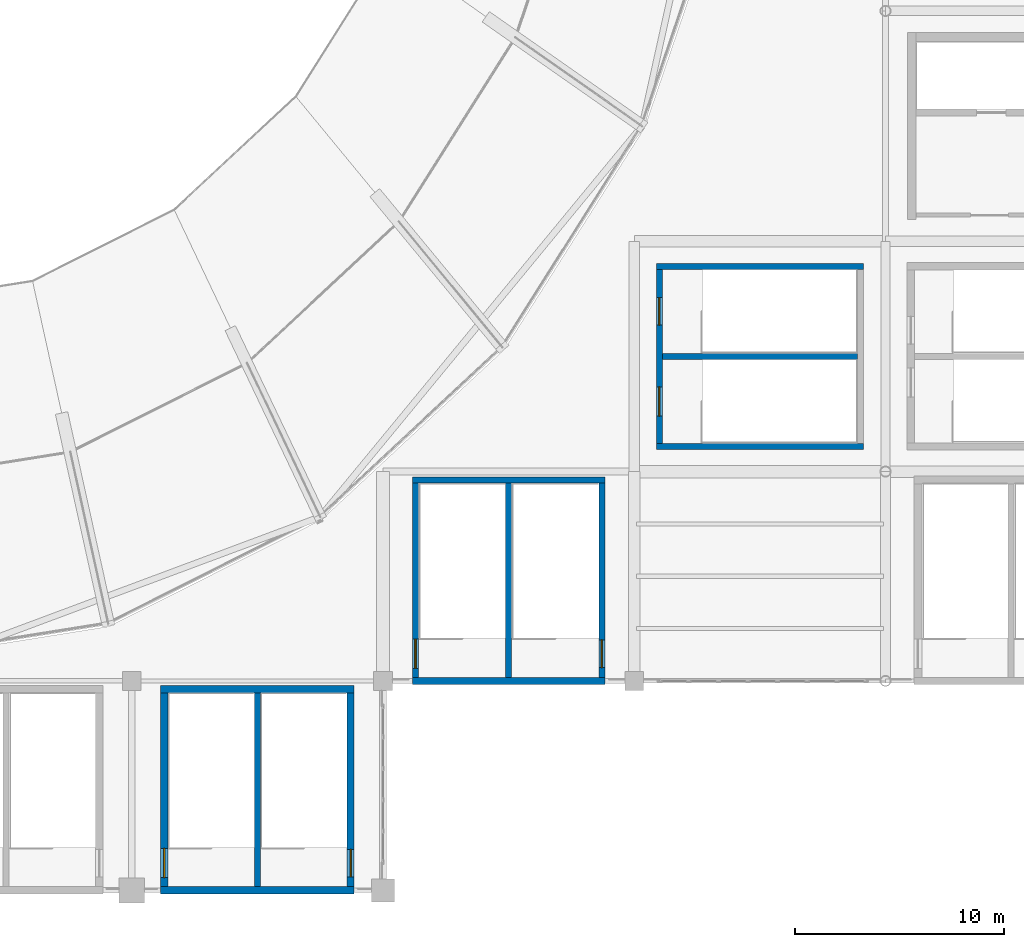
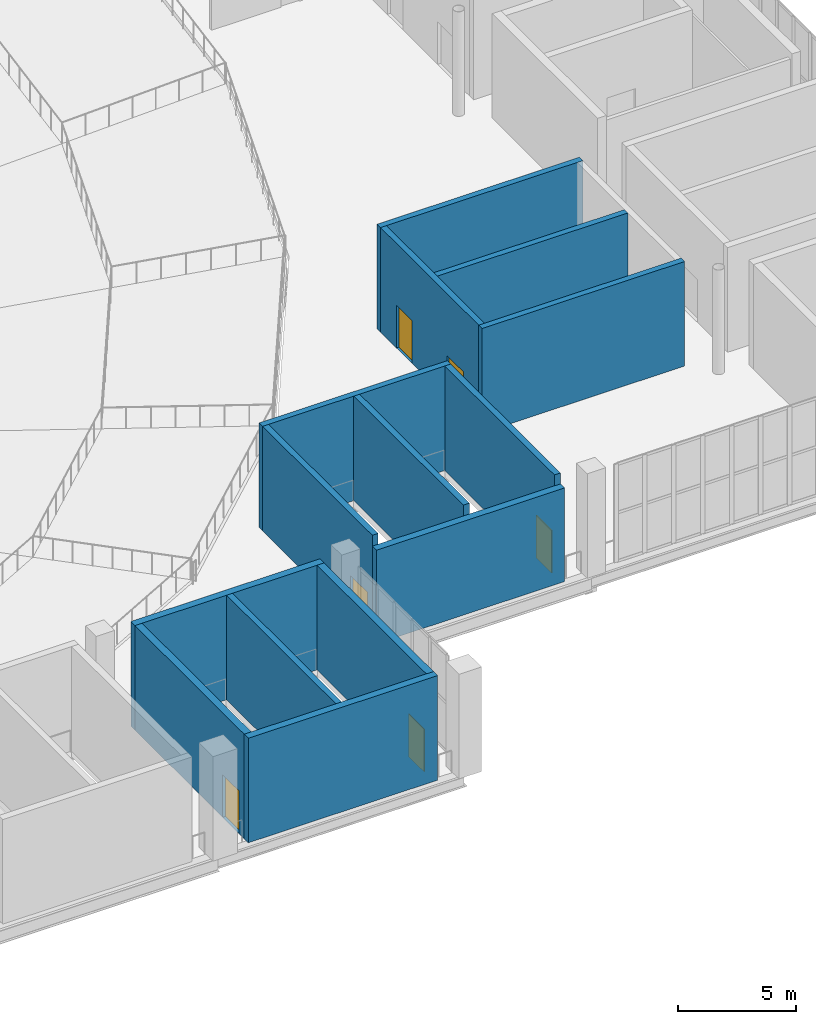
# One storey, part 52 of 74: 14 walls, 6 doors, 6 openings.
"""IFC4 building model written with IfcOpenShell, lengths in metres."""

from ifc_helpers import new_model, si_unit, direction, frame, frame_2d, origin, place, context, subcontext, project, spatial, rectangle, extrude, material, layer, layer_set, type_object, element, fill, save


model = new_model("IFC4")

# Units and contexts
model_context = context("Model", 3, precision=1e-05, world=origin(), true_north=direction((0.0, 1.0)))
body_context = subcontext(model_context, "Body", "Model", "MODEL_VIEW")
ifc_project = project(units=[si_unit("LENGTHUNIT", "METRE"), si_unit("AREAUNIT", "SQUARE_METRE"), si_unit("VOLUMEUNIT", "CUBIC_METRE"), si_unit("PLANEANGLEUNIT", "RADIAN"), si_unit("MASSUNIT", "GRAM", prefix="KILO")], contexts=[model_context])

# Site, building, storey
site_placement = place(None, origin())
site = spatial("IfcSite", under=ifc_project, at=site_placement, CompositionType="ELEMENT")
building_placement = place(site_placement, origin())
building = spatial("IfcBuilding", under=site, at=building_placement, Name="Brinegate Civic Arena", CompositionType="ELEMENT")
storey_placement = place(building_placement, frame((0.0, 0.0, 19.199951171875)))
storey = spatial("IfcBuildingStorey", under=building, at=storey_placement, Name="L04", CompositionType="ELEMENT", Elevation=19.199951171875)

# Wall
ifc_material_1 = material(Name="Concrete C50/60", Category="concrete")
ifc_layer_1 = layer(ifc_material_1, 0.35009765625, Name="Concrete C50/60")
ifc_layer_set_1 = layer_set([ifc_layer_1], Name="Concrete C50/60")
wall_type_1 = type_object("IfcWallType", Name="WALL-CORE-SHEAR-350", PredefinedType="SHEAR", material=ifc_layer_set_1)
wall_1_placement = place(storey_placement, frame((121.375, 9.60009765625, 0.0), z_axis=(0.0, 0.0, 1.0), x_axis=(1.0, 0.0, 0.0)))
element("IfcWall", 1, at=wall_1_placement, inside=storey, type_object=wall_type_1, Name="Stair ST-04 North Shear Wall L04 (WBC-14)", PredefinedType="SHEAR", context=body_context, shape_type="SweptSolid", body=[
    extrude(rectangle(XDim=9.25, YDim=0.35009765625, at=frame_2d((4.625, 0.0))), origin(), (0.0, 0.0, 1.0), 5.400146484375),
])

# Wall, opening, door
wall_2_placement = place(storey_placement, frame((121.550048828125, 0.175048828125, 0.0), z_axis=(0.0, 0.0, 1.0), x_axis=(0.0, 1.0, 0.0)))
wall_2 = element("IfcWall", 2, at=wall_2_placement, inside=storey, type_object=wall_type_1, Name="Stair ST-04 West Shear Wall L04 (WBC-15)", PredefinedType="SHEAR", context=body_context, shape_type="SweptSolid", body=[
    extrude(rectangle(XDim=9.25, YDim=0.35009765625, at=frame_2d((4.625, 0.0))), origin(), (0.0, 0.0, 1.0), 5.400146484375),
])
opening_1_placement = place(wall_2_placement, frame((0.425048828125, 0.0, 0.0)))
opening_1 = element("IfcOpeningElement", 3, at=opening_1_placement, cuts=wall_2, Name="Opening D-ST04A-L04", PredefinedType="OPENING", context=body_context, shape_type="SweptSolid", body=[
    extrude(rectangle(XDim=1.39990234375, YDim=2.199951171875, at=frame_2d((0.699951171875, 1.10009765625))), frame((0.0, 0.18505859375, 0.0), z_axis=(0.0, -1.0, 0.0), x_axis=(1.0, 0.0, 0.0)), (0.0, 0.0, 1.0), 0.3701171875),
])
ifc_material_2 = material(Name="Galvanized hurricane steel", Category="steel")
door_type_1 = type_object("IfcDoorType", Name="DOOR-STAIR-2400X2200", OperationType="NOTDEFINED", PredefinedType="DOOR", material=ifc_material_2)
door_1_placement = place(opening_1_placement, frame((1.39990234375, 0.0, 0.0), z_axis=(0.0, 0.0, 1.0), x_axis=(-1.0, 0.0, 0.0)))
door_1 = element("IfcDoor", 4, at=door_1_placement, inside=storey, type_object=door_type_1, Name="Protected Exit Stair Door D-ST04A-L04", OperationType="DOUBLE_DOOR_SINGLE_SWING", OverallHeight=2.199951171875, OverallWidth=1.39990234375, PredefinedType="DOOR", context=body_context, shape_type="SweptSolid", body=[
    extrude(rectangle(XDim=1.39990234375, YDim=2.199951171875, at=frame_2d((0.699951171875, 1.10009765625))), frame((0.0, 0.02490234375, 0.0), z_axis=(0.0, -1.0, 0.0), x_axis=(1.0, 0.0, 0.0)), (0.0, 0.0, 1.0), 0.050048828125),
])
fill(opening_1, door_1)

wall_3_placement = place(storey_placement, frame((130.449951171875, 0.175048828125, 0.0), z_axis=(0.0, 0.0, 1.0), x_axis=(0.0, 1.0, 0.0)))
wall_3 = element("IfcWall", 5, at=wall_3_placement, inside=storey, type_object=wall_type_1, Name="Stair ST-04 East Shear Wall L04 (WBC-16)", PredefinedType="SHEAR", context=body_context, shape_type="SweptSolid", body=[
    extrude(rectangle(XDim=9.25, YDim=0.35009765625, at=frame_2d((4.625, 0.0))), origin(), (0.0, 0.0, 1.0), 5.400146484375),
])
opening_2_placement = place(wall_3_placement, frame((0.465087890625, 0.0, 0.0)))
opening_2 = element("IfcOpeningElement", 6, at=opening_2_placement, cuts=wall_3, Name="Opening D-ST04B-L04", PredefinedType="OPENING", context=body_context, shape_type="SweptSolid", body=[
    extrude(rectangle(XDim=1.320068359375, YDim=2.199951171875, at=frame_2d((0.66015625, 1.10009765625))), frame((0.0, 0.18505859375, 0.0), z_axis=(0.0, -1.0, 0.0), x_axis=(1.0, 0.0, 0.0)), (0.0, 0.0, 1.0), 0.3701171875),
])
door_type_2 = type_object("IfcDoorType", Name="DOOR-STAIR-2200X2200", OperationType="NOTDEFINED", PredefinedType="DOOR", material=ifc_material_2)
door_2_placement = place(opening_2_placement, origin())
door_2 = element("IfcDoor", 7, at=door_2_placement, inside=storey, type_object=door_type_2, Name="Protected Exit Stair Door D-ST04B-L04", OperationType="DOUBLE_DOOR_SINGLE_SWING", OverallHeight=2.199951171875, OverallWidth=1.320068359375, PredefinedType="DOOR", context=body_context, shape_type="SweptSolid", body=[
    extrude(rectangle(XDim=1.320068359375, YDim=2.199951171875, at=frame_2d((0.66015625, 1.10009765625))), frame((0.0, 0.02490234375, 0.0), z_axis=(0.0, -1.0, 0.0), x_axis=(1.0, 0.0, 0.0)), (0.0, 0.0, 1.0), 0.050048828125),
])
fill(opening_2, door_2)

# Walls
ifc_layer_2 = layer(ifc_material_1, 0.35009765625, Name="Concrete C50/60")
ifc_layer_set_2 = layer_set([ifc_layer_2], Name="Concrete C50/60")
wall_type_2 = type_object("IfcWallType", Name="WALL-EXT-STAIR-SHEAR-350", PredefinedType="SHEAR", material=ifc_layer_set_2)
wall_4_placement = place(storey_placement, frame((121.375, 0.0, 0.0), z_axis=(0.0, 0.0, 1.0), x_axis=(1.0, 0.0, 0.0)))
element("IfcWall", 8, at=wall_4_placement, inside=storey, type_object=wall_type_2, Name="Stair ST-04 South Shear Wall L04 (WBC-13)", PredefinedType="SHEAR", context=body_context, shape_type="SweptSolid", body=[
    extrude(rectangle(XDim=9.25, YDim=0.35009765625, at=frame_2d((4.625, 0.0))), origin(), (0.0, 0.0, 1.0), 5.400146484375),
])
wall_5_placement = place(storey_placement, frame((133.405029296875, 10.0, 0.0), z_axis=(0.0, 0.0, 1.0), x_axis=(1.0, 0.0, 0.0)))
element("IfcWall", 9, at=wall_5_placement, inside=storey, type_object=wall_type_2, Name="Stair ST-14 South Shear Wall L04 (WBE-75)", PredefinedType="SHEAR", context=body_context, shape_type="SweptSolid", body=[
    extrude(rectangle(XDim=9.18994140625, YDim=0.35009765625, at=frame_2d((4.594970703125, 0.0))), origin(), (0.0, 0.0, 1.0), 4.8359375),
])
ifc_layer_3 = layer(ifc_material_1, 0.2900390625, Name="Concrete C50/60")
ifc_layer_set_3 = layer_set([ifc_layer_3], Name="Concrete C50/60")
wall_type_3 = type_object("IfcWallType", Name="WALL-STAIR-SHEAR-290", PredefinedType="SHEAR", material=ifc_layer_set_3)
wall_6_placement = place(storey_placement, frame((126.0, 0.175048828125, 0.0), z_axis=(0.0, 0.0, 1.0), x_axis=(0.0, 1.0, 0.0)))
element("IfcWall", 10, at=wall_6_placement, inside=storey, type_object=wall_type_3, Name="Stair ST-04 Central Dividing Shear Wall L04 (WBC-17)", PredefinedType="SHEAR", context=body_context, shape_type="SweptSolid", body=[
    extrude(rectangle(XDim=9.25, YDim=0.2900390625, at=frame_2d((4.625, 0.0))), origin(), (0.0, 0.0, 1.0), 5.400146484375),
])
wall_7_placement = place(storey_placement, frame((133.405029296875, 19.60009765625, 0.0), z_axis=(0.0, 0.0, 1.0), x_axis=(1.0, 0.0, 0.0)))
element("IfcWall", 11, at=wall_7_placement, inside=storey, type_object=wall_type_3, Name="Stair ST-14 North Shear Wall L04 (WBE-76)", PredefinedType="SHEAR", context=body_context, shape_type="SweptSolid", body=[
    extrude(rectangle(XDim=9.18994140625, YDim=0.2900390625, at=frame_2d((4.594970703125, 0.0))), origin(), (0.0, 0.0, 1.0), 5.400146484375),
])

# Wall, opening, door
wall_8_placement = place(storey_placement, frame((133.550048828125, 10.175048828125, 0.0), z_axis=(0.0, 0.0, 1.0), x_axis=(0.0, 1.0, 0.0)))
wall_8 = element("IfcWall", 12, at=wall_8_placement, inside=storey, type_object=wall_type_3, Name="Stair ST-14 West Shear Wall L04 (WBE-77)", PredefinedType="SHEAR", context=body_context, shape_type="SweptSolid", body=[
    extrude(rectangle(XDim=9.280029296875, YDim=0.2900390625, at=frame_2d((4.64013671875, 0.0))), origin(), (0.0, 0.0, 1.0), 5.400146484375),
])
opening_3_placement = place(wall_8_placement, frame((0.425048828125, 0.0, 0.0)))
opening_3 = element("IfcOpeningElement", 13, at=opening_3_placement, cuts=wall_8, Name="Opening D-ST14A-L04", PredefinedType="OPENING", context=body_context, shape_type="SweptSolid", body=[
    extrude(rectangle(XDim=1.39990234375, YDim=2.199951171875, at=frame_2d((0.699951171875, 1.10009765625))), frame((0.0, 0.155029296875, 0.0), z_axis=(0.0, -1.0, 0.0), x_axis=(1.0, 0.0, 0.0)), (0.0, 0.0, 1.0), 0.31005859375),
])
door_3_placement = place(opening_3_placement, frame((1.39990234375, 0.0, 0.0), z_axis=(0.0, 0.0, 1.0), x_axis=(-1.0, 0.0, 0.0)))
door_3 = element("IfcDoor", 14, at=door_3_placement, inside=storey, type_object=door_type_1, Name="Protected Exit Stair Door D-ST14A-L04", OperationType="DOUBLE_DOOR_SINGLE_SWING", OverallHeight=2.199951171875, OverallWidth=1.39990234375, PredefinedType="DOOR", context=body_context, shape_type="SweptSolid", body=[
    extrude(rectangle(XDim=1.39990234375, YDim=2.199951171875, at=frame_2d((0.699951171875, 1.10009765625))), frame((0.0, 0.02490234375, 0.0), z_axis=(0.0, -1.0, 0.0), x_axis=(1.0, 0.0, 0.0)), (0.0, 0.0, 1.0), 0.050048828125),
])
fill(opening_3, door_3)

wall_9_placement = place(storey_placement, frame((142.449951171875, 10.175048828125, 0.0), z_axis=(0.0, 0.0, 1.0), x_axis=(0.0, 1.0, 0.0)))
wall_9 = element("IfcWall", 15, at=wall_9_placement, inside=storey, type_object=wall_type_3, Name="Stair ST-14 East Shear Wall L04 (WBE-78)", PredefinedType="SHEAR", context=body_context, shape_type="SweptSolid", body=[
    extrude(rectangle(XDim=9.280029296875, YDim=0.2900390625, at=frame_2d((4.64013671875, 0.0))), origin(), (0.0, 0.0, 1.0), 5.400146484375),
])
opening_4_placement = place(wall_9_placement, frame((0.465087890625, 0.0, 0.0)))
opening_4 = element("IfcOpeningElement", 16, at=opening_4_placement, cuts=wall_9, Name="Opening D-ST14B-L04", PredefinedType="OPENING", context=body_context, shape_type="SweptSolid", body=[
    extrude(rectangle(XDim=1.320068359375, YDim=2.199951171875, at=frame_2d((0.66015625, 1.10009765625))), frame((0.0, 0.155029296875, 0.0), z_axis=(0.0, -1.0, 0.0), x_axis=(1.0, 0.0, 0.0)), (0.0, 0.0, 1.0), 0.31005859375),
])
door_4_placement = place(opening_4_placement, origin())
door_4 = element("IfcDoor", 17, at=door_4_placement, inside=storey, type_object=door_type_2, Name="Protected Exit Stair Door D-ST14B-L04", OperationType="DOUBLE_DOOR_SINGLE_SWING", OverallHeight=2.199951171875, OverallWidth=1.320068359375, PredefinedType="DOOR", context=body_context, shape_type="SweptSolid", body=[
    extrude(rectangle(XDim=1.320068359375, YDim=2.199951171875, at=frame_2d((0.66015625, 1.10009765625))), frame((0.0, 0.02490234375, 0.0), z_axis=(0.0, -1.0, 0.0), x_axis=(1.0, 0.0, 0.0)), (0.0, 0.0, 1.0), 0.050048828125),
])
fill(opening_4, door_4)

# Walls
wall_10_placement = place(storey_placement, frame((138.0, 10.175048828125, 0.0), z_axis=(0.0, 0.0, 1.0), x_axis=(0.0, 1.0, 0.0)))
element("IfcWall", 18, at=wall_10_placement, inside=storey, type_object=wall_type_3, Name="Stair ST-14 Central Dividing Shear Wall L04 (WBE-79)", PredefinedType="SHEAR", context=body_context, shape_type="SweptSolid", body=[
    extrude(rectangle(XDim=9.280029296875, YDim=0.2900390625, at=frame_2d((4.64013671875, 0.0))), origin(), (0.0, 0.0, 1.0), 5.400146484375),
])
for number, where, z_axis, x_axis, name in (
    (19, (145.054931640625, 21.199951171875, 0.0), (0.0, 0.0, 1.0), (1.0, 0.0, 0.0), "Stair ST-17 South Shear Wall L04 (WBK-95)"),
    (20, (145.054931640625, 29.800048828125, 0.0), (0.0, 0.0, 1.0), (1.0, 0.0, 0.0), "Stair ST-17 North Shear Wall L04 (WBK-96)"),
):
    element("IfcWall", number, at=place(storey_placement, frame(where, z_axis=z_axis, x_axis=x_axis)), inside=storey, type_object=wall_type_3, Name=name, PredefinedType="SHEAR", context=body_context, shape_type="SweptSolid", body=[
        extrude(rectangle(XDim=9.89013671875, YDim=0.2900390625, at=frame_2d((4.945068359375, 0.0))), origin(), (0.0, 0.0, 1.0), 5.400146484375),
    ])

# Wall, openings, doors
wall_11_placement = place(storey_placement, frame((145.199951171875, 21.344970703125, 0.0), z_axis=(0.0, 0.0, 1.0), x_axis=(0.0, 1.0, 0.0)))
wall_11 = element("IfcWall", 21, at=wall_11_placement, inside=storey, type_object=wall_type_3, Name="Stair ST-17 West Shear Wall L04 (WBK-97)", PredefinedType="SHEAR", context=body_context, shape_type="SweptSolid", body=[
    extrude(rectangle(XDim=8.31005859375, YDim=0.2900390625, at=frame_2d((4.155029296875, 0.0))), origin(), (0.0, 0.0, 1.0), 5.400146484375),
])
opening_5_placement = place(wall_11_placement, frame((1.304931640625, 0.0, 0.0)))
opening_5 = element("IfcOpeningElement", 22, at=opening_5_placement, cuts=wall_11, Name="Opening D-ST17A-L04", PredefinedType="OPENING", context=body_context, shape_type="SweptSolid", body=[
    extrude(rectangle(XDim=1.39990234375, YDim=2.199951171875, at=frame_2d((0.699951171875, 1.10009765625))), frame((0.0, 0.155029296875, 0.0), z_axis=(0.0, -1.0, 0.0), x_axis=(1.0, 0.0, 0.0)), (0.0, 0.0, 1.0), 0.31005859375),
])
opening_6_placement = place(wall_11_placement, frame((5.64501953125, 0.0, 0.0)))
opening_6 = element("IfcOpeningElement", 23, at=opening_6_placement, cuts=wall_11, Name="Opening D-ST17B-L04", PredefinedType="OPENING", context=body_context, shape_type="SweptSolid", body=[
    extrude(rectangle(XDim=1.320068359375, YDim=2.199951171875, at=frame_2d((0.66015625, 1.10009765625))), frame((0.0, 0.155029296875, 0.0), z_axis=(0.0, -1.0, 0.0), x_axis=(1.0, 0.0, 0.0)), (0.0, 0.0, 1.0), 0.31005859375),
])
door_5_placement = place(opening_6_placement, origin())
door_5 = element("IfcDoor", 24, at=door_5_placement, inside=storey, type_object=door_type_2, Name="Protected Exit Stair Door D-ST17B-L04", OperationType="DOUBLE_DOOR_SINGLE_SWING", OverallHeight=2.199951171875, OverallWidth=1.320068359375, PredefinedType="DOOR", context=body_context, shape_type="SweptSolid", body=[
    extrude(rectangle(XDim=1.320068359375, YDim=2.199951171875, at=frame_2d((0.66015625, 1.10009765625))), frame((0.0, 0.02490234375, 0.0), z_axis=(0.0, -1.0, 0.0), x_axis=(1.0, 0.0, 0.0)), (0.0, 0.0, 1.0), 0.050048828125),
])
fill(opening_6, door_5)
door_6_placement = place(opening_5_placement, origin())
door_6 = element("IfcDoor", 25, at=door_6_placement, inside=storey, type_object=door_type_1, Name="Protected Exit Stair Door D-ST17A-L04", OperationType="DOUBLE_DOOR_SINGLE_SWING", OverallHeight=2.199951171875, OverallWidth=1.39990234375, PredefinedType="DOOR", context=body_context, shape_type="SweptSolid", body=[
    extrude(rectangle(XDim=1.39990234375, YDim=2.199951171875, at=frame_2d((0.699951171875, 1.10009765625))), frame((0.0, 0.02490234375, 0.0), z_axis=(0.0, -1.0, 0.0), x_axis=(1.0, 0.0, 0.0)), (0.0, 0.0, 1.0), 0.050048828125),
])
fill(opening_5, door_6)

# Wall
wall_12_placement = place(storey_placement, frame((145.344970703125, 25.5, 0.0), z_axis=(0.0, 0.0, 1.0), x_axis=(1.0, 0.0, 0.0)))
element("IfcWall", 26, at=wall_12_placement, inside=storey, type_object=wall_type_3, Name="Stair ST-17 Central Dividing Shear Wall L04 (WBK-99)", PredefinedType="SHEAR", context=body_context, shape_type="SweptSolid", body=[
    extrude(rectangle(XDim=9.31005859375, YDim=0.2900390625, at=frame_2d((4.655029296875, 0.0))), origin(), (0.0, 0.0, 1.0), 5.400146484375),
])

save(model, "model.ifc")
